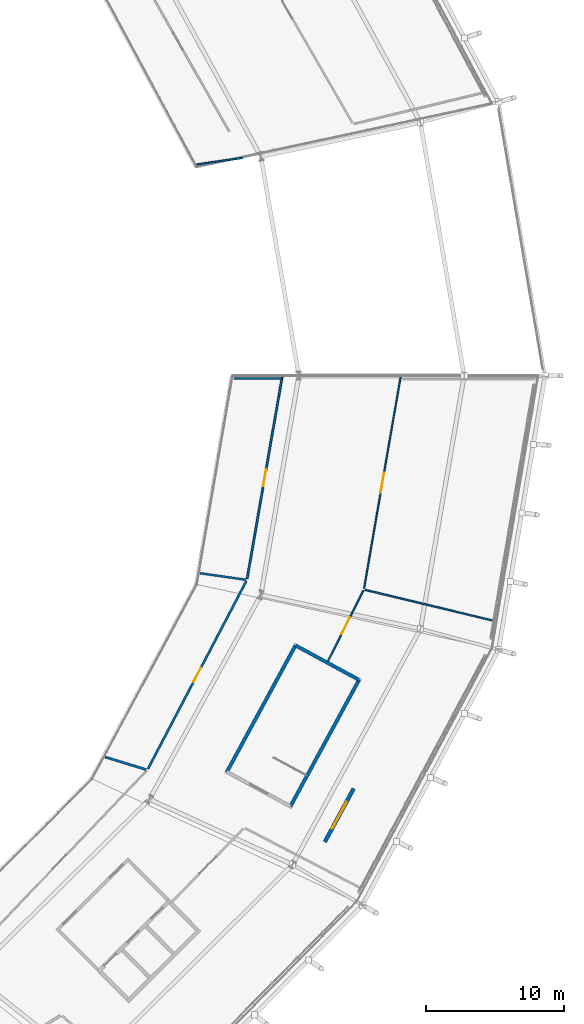
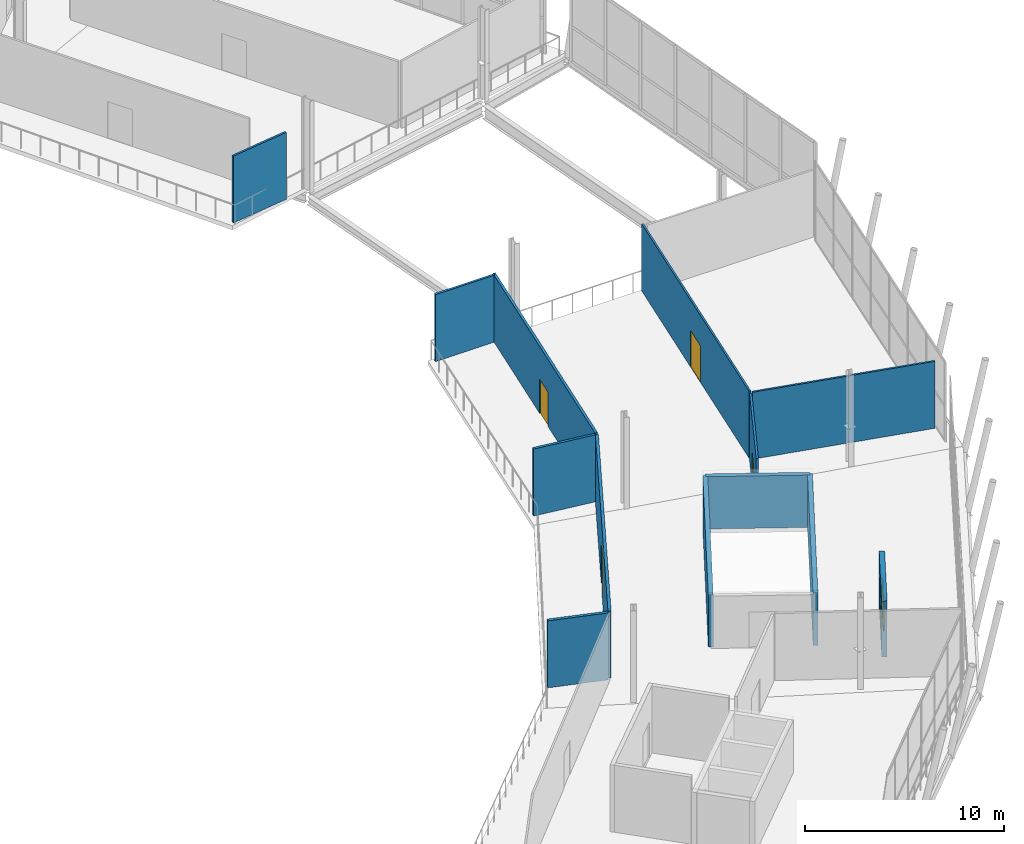
# One storey, part 88 of 99: 13 walls, 4 doors, 1 window, 5 openings.
"""IFC4 building model written with IfcOpenShell, lengths in metres."""

from ifc_helpers import new_model, si_unit, direction, frame, frame_2d, origin, place, context, subcontext, project, spatial, rectangle, extrude, material, layer, layer_set, type_object, element, fill, save


model = new_model("IFC4")

# Units and contexts
model_context = context("Model", 3, precision=1e-05, world=origin(), true_north=direction((0.0, 1.0)))
body_context = subcontext(model_context, "Body", "Model", "MODEL_VIEW")
ifc_project = project(units=[si_unit("LENGTHUNIT", "METRE"), si_unit("AREAUNIT", "SQUARE_METRE"), si_unit("VOLUMEUNIT", "CUBIC_METRE"), si_unit("PLANEANGLEUNIT", "RADIAN"), si_unit("MASSUNIT", "GRAM", prefix="KILO")], contexts=[model_context])

# Site, building, storey
site_placement = place(None, origin())
site = spatial("IfcSite", under=ifc_project, at=site_placement, CompositionType="ELEMENT")
building_placement = place(site_placement, origin())
building = spatial("IfcBuilding", under=site, at=building_placement, Name="Zlatoyarsky Gate Stadium", CompositionType="ELEMENT")
storey_placement = place(building_placement, frame((0.0, 0.0, 26.199951171875)))
storey = spatial("IfcBuildingStorey", under=building, at=storey_placement, Name="L05", CompositionType="ELEMENT", Elevation=26.199951171875)

# Walls
ifc_material_1 = material(Name="Double-stud acoustic gypsum partition", Category="gypsum")
ifc_layer_1 = layer(ifc_material_1, 0.169921875)
ifc_layer_set_1 = layer_set([ifc_layer_1], Name="Double-stud acoustic gypsum partition")
wall_type_1 = type_object("IfcWallType", Name="ACOUSTIC BROADCAST STUDIO WALL 170", PredefinedType="PARTITIONING", material=ifc_layer_set_1)
wall_1_placement = place(storey_placement, frame((177.932373046875, 52.313720703125, 0.0), z_axis=(0.0, 0.0, 1.0), x_axis=(0.95598690757, -0.29340932595, 0.0)))
element("IfcWall", 1, at=wall_1_placement, inside=storey, type_object=wall_type_1, Name="L05 interior partition PRT-L05-IRD-22", PredefinedType="PARTITIONING", context=body_context, shape_type="SweptSolid", body=[
    extrude(rectangle(XDim=3.119384765625, YDim=0.169921875, at=frame_2d((1.5595703125, 0.0))), origin(), (0.0, 0.0, 1.0), 4.10009765625),
])
ifc_material_2 = material(Name="Anodised aluminium acoustic operable wall", Category="aluminium")
ifc_layer_2 = layer(ifc_material_2, 0.114990234375)
ifc_layer_set_2 = layer_set([ifc_layer_2], Name="Anodised aluminium acoustic operable wall")
wall_type_2 = type_object("IfcWallType", Name="ACOUSTIC OPERABLE SUITE WALL 115", PredefinedType="MOVABLE", material=ifc_layer_set_2)
wall_2_placement = place(storey_placement, frame((184.573486328125, 95.349609375, 0.0), z_axis=(0.0, 0.0, 1.0), x_axis=(0.990071167714, 0.140567004881, 0.0)))
element("IfcWall", 2, at=wall_2_placement, inside=storey, type_object=wall_type_2, Name="L05 interior partition PRT-L05-IRD-01G", PredefinedType="MOVABLE", context=body_context, shape_type="SweptSolid", body=[
    extrude(rectangle(XDim=3.36083984375, YDim=0.114990234375, at=frame_2d((1.680419921875, 0.0))), origin(), (0.0, 0.0, 1.0), 4.10009765625),
])

# Wall, opening, door
ifc_material_3 = material(Name="Moisture-resistant masonry partition", Category="masonry")
ifc_layer_3 = layer(ifc_material_3, 0.139892578125)
ifc_layer_set_3 = layer_set([ifc_layer_3], Name="Moisture-resistant masonry partition")
wall_type_3 = type_object("IfcWallType", Name="ATHLETE CHANGING BLOCK PARTITION 140", PredefinedType="PARTITIONING", material=ifc_layer_set_3)
wall_3_placement = place(storey_placement, frame((188.24072265625, 65.2626953125, 0.0), z_axis=(0.0, 0.0, 1.0), x_axis=(0.171095243165, 0.985254493908, 0.0)))
wall_3 = element("IfcWall", 3, at=wall_3_placement, inside=storey, type_object=wall_type_3, Name="L05 interior partition PRT-L05-ICC-23", PredefinedType="PARTITIONING", context=body_context, shape_type="SweptSolid", body=[
    extrude(rectangle(XDim=14.872802734375, YDim=0.139892578125, at=frame_2d((7.4365234375, 0.0))), origin(), (0.0, 0.0, 1.0), 4.10009765625),
])
opening_1_placement = place(wall_3_placement, frame((6.81640625, 0.0, 0.0)))
opening_1 = element("IfcOpeningElement", 4, at=opening_1_placement, cuts=wall_3, Name="Opening D-L05-663", PredefinedType="OPENING", context=body_context, shape_type="SweptSolid", body=[
    extrude(rectangle(XDim=1.239990234375, YDim=2.10009765625, at=frame_2d((0.6201171875, 1.050048828125))), frame((0.0, 0.079833984375, 0.0), z_axis=(0.0, -1.0, 0.0), x_axis=(1.0, 0.0, 0.0)), (0.0, 0.0, 1.0), 0.159912109375),
])
ifc_material_4 = material(Name="Powder-coated steel fire door", Category="steel")
door_type_1 = type_object("IfcDoorType", Name="ACOUSTIC INTERIOR DOOR 1240X2100", OperationType="NOTDEFINED", PredefinedType="DOOR", material=ifc_material_4)
door_1_placement = place(opening_1_placement, origin())
door_1 = element("IfcDoor", 5, at=door_1_placement, inside=storey, type_object=door_type_1, Name="L05 room door D-L05-663", OperationType="SINGLE_SWING_RIGHT", OverallHeight=2.10009765625, OverallWidth=1.239990234375, PredefinedType="DOOR", context=body_context, shape_type="SweptSolid", body=[
    extrude(rectangle(XDim=1.239990234375, YDim=2.10009765625, at=frame_2d((0.6201171875, 1.050048828125))), frame((0.0, 0.02490234375, 0.0), z_axis=(0.0, -1.0, 0.0), x_axis=(1.0, 0.0, 0.0)), (0.0, 0.0, 1.0), 0.050048828125),
])
fill(opening_1, door_1)

# Walls
ifc_material_5 = material(Name="Metal-stud gypsum partition", Category="gypsum")
ifc_layer_4 = layer(ifc_material_5, 0.14990234375)
ifc_layer_set_4 = layer_set([ifc_layer_4], Name="Metal-stud gypsum partition")
wall_type_4 = type_object("IfcWallType", Name="CONCOURSE CORRIDOR PARTITION 150", PredefinedType="PARTITIONING", material=ifc_layer_set_4)
wall_4_placement = place(storey_placement, frame((184.811767578125, 65.664306640625, 0.0), z_axis=(0.0, 0.0, 1.0), x_axis=(0.990047959754, -0.140730371231, 0.0)))
element("IfcWall", 6, at=wall_4_placement, inside=storey, type_object=wall_type_4, Name="L05 interior partition PRT-L05-IRD-23", PredefinedType="PARTITIONING", context=body_context, shape_type="SweptSolid", body=[
    extrude(rectangle(XDim=3.36376953125, YDim=0.14990234375, at=frame_2d((1.681884765625, 0.0))), origin(), (0.0, 0.0, 1.0), 4.10009765625),
])
ifc_material_6 = material(Name="Concrete C40/50", Category="concrete")
ifc_layer_5 = layer(ifc_material_6, 0.25)
ifc_layer_set_5 = layer_set([ifc_layer_5], Name="Concrete C40/50")
wall_type_5 = type_object("IfcWallType", Name="CONCRETE STAIR CORE SHEAR WALL 250", PredefinedType="SHEAR", material=ifc_layer_set_5)
wall_5_placement = place(storey_placement, frame((191.384765625, 48.731201171875, 0.0), z_axis=(0.0, 0.0, 1.0), x_axis=(0.476876856974, 0.878970115125, 0.0)))
element("IfcWall", 7, at=wall_5_placement, inside=storey, type_object=wall_type_5, Name="ST-12 L05 stair core left shear wall", PredefinedType="SHEAR", context=body_context, shape_type="SweptSolid", body=[
    extrude(rectangle(XDim=10.4501953125, YDim=0.25, at=frame_2d((5.22509765625, 0.0))), origin(), (0.0, 0.0, 1.0), 3.199951171875),
])
wall_6_placement = place(storey_placement, frame((196.3681640625, 57.91650390625, 0.0), z_axis=(0.0, 0.0, 1.0), x_axis=(-0.878961487093, 0.47689275965, 0.0)))
element("IfcWall", 8, at=wall_6_placement, inside=storey, type_object=wall_type_5, Name="ST-12 L05 stair core far shear wall", PredefinedType="SHEAR", context=body_context, shape_type="SweptSolid", body=[
    extrude(rectangle(XDim=5.25, YDim=0.25, at=frame_2d((2.625, 0.0))), origin(), (0.0, 0.0, 1.0), 3.199951171875),
])
wall_7_placement = place(storey_placement, frame((191.753662109375, 60.420166015625, 0.0), z_axis=(0.0, 0.0, 1.0), x_axis=(-0.476886649814, -0.878964802042, 0.0)))
element("IfcWall", 9, at=wall_7_placement, inside=storey, type_object=wall_type_5, Name="ST-12 L05 stair core right shear wall", PredefinedType="SHEAR", context=body_context, shape_type="SweptSolid", body=[
    extrude(rectangle(XDim=10.449951171875, YDim=0.25, at=frame_2d((5.22509765625, 0.0))), origin(), (0.0, 0.0, 1.0), 3.199951171875),
])

# Wall, opening, door
ifc_material_7 = material(Name="Acoustic metal-stud gypsum partition", Category="gypsum")
ifc_layer_6 = layer(ifc_material_7, 0.159912109375)
ifc_layer_set_6 = layer_set([ifc_layer_6], Name="Acoustic metal-stud gypsum partition")
wall_type_6 = type_object("IfcWallType", Name="HOSPITALITY SUITE PARTITION 160", PredefinedType="PARTITIONING", material=ifc_layer_set_6)
wall_8_placement = place(storey_placement, frame((181.03515625, 51.44873046875, 0.0), z_axis=(0.0, 0.0, 1.0), x_axis=(0.463973851802, 0.88584889504, 0.0)))
wall_8 = element("IfcWall", 10, at=wall_8_placement, inside=storey, type_object=wall_type_6, Name="L05 interior partition PRT-L05-ICC-22", PredefinedType="PARTITIONING", context=body_context, shape_type="SweptSolid", body=[
    extrude(rectangle(XDim=15.414306640625, YDim=0.159912109375, at=frame_2d((7.70703125, 0.0))), origin(), (0.0, 0.0, 1.0), 4.10009765625),
])
opening_2_placement = place(wall_8_placement, frame((7.127197265625, 0.0, 0.0)))
opening_2 = element("IfcOpeningElement", 11, at=opening_2_placement, cuts=wall_8, Name="Opening D-L05-661", PredefinedType="OPENING", context=body_context, shape_type="SweptSolid", body=[
    extrude(rectangle(XDim=1.159912109375, YDim=2.3798828125, at=frame_2d((0.580078125, 1.18994140625))), frame((0.0, 0.08984375, 0.0), z_axis=(0.0, -1.0, 0.0), x_axis=(1.0, 0.0, 0.0)), (0.0, 0.0, 1.0), 0.179931640625),
])
door_type_2 = type_object("IfcDoorType", Name="ACOUSTIC INTERIOR DOOR 1160X2380", OperationType="NOTDEFINED", PredefinedType="DOOR", material=ifc_material_4)
door_2_placement = place(opening_2_placement, origin())
door_2 = element("IfcDoor", 12, at=door_2_placement, inside=storey, type_object=door_type_2, Name="L05 room door D-L05-661", OperationType="SINGLE_SWING_LEFT", OverallHeight=2.3798828125, OverallWidth=1.159912109375, PredefinedType="DOOR", context=body_context, shape_type="SweptSolid", body=[
    extrude(rectangle(XDim=1.159912109375, YDim=2.3798828125, at=frame_2d((0.580078125, 1.18994140625))), frame((0.0, 0.02490234375, 0.0), z_axis=(0.0, -1.0, 0.0), x_axis=(1.0, 0.0, 0.0)), (0.0, 0.0, 1.0), 0.050048828125),
])
fill(opening_2, door_2)

# Wall, opening, window
ifc_material_8 = material(Name="Precast concrete C40/50 architectural panel", Category="concrete")
ifc_layer_7 = layer(ifc_material_8, 0.280029296875)
ifc_layer_set_7 = layer_set([ifc_layer_7], Name="Precast concrete C40/50 architectural panel")
wall_type_7 = type_object("IfcWallType", Name="INSULATED WING SPANDREL WALL 280", PredefinedType="STANDARD", material=ifc_layer_set_7)
wall_9_placement = place(storey_placement, frame((193.883056640625, 46.1484375, 0.0), z_axis=(0.0, 0.0, 1.0), x_axis=(0.475353389394, 0.879794950651, 0.0)))
wall_9 = element("IfcWall", 13, at=wall_9_placement, inside=storey, type_object=wall_type_7, Name="L05 clerestory lantern wall 08", PredefinedType="STANDARD", context=body_context, shape_type="SweptSolid", body=[
    extrude(rectangle(XDim=4.39990234375, YDim=0.280029296875, at=frame_2d((2.199951171875, 0.0))), origin(), (0.0, 0.0, 1.0), 3.400146484375),
])
opening_3_placement = place(wall_9_placement, frame((1.10009765625, 0.0, 0.800048828125)))
opening_3 = element("IfcOpeningElement", 14, at=opening_3_placement, cuts=wall_9, Name="Opening SK-04", PredefinedType="OPENING", context=body_context, shape_type="SweptSolid", body=[
    extrude(rectangle(XDim=2.199951171875, YDim=1.75, at=frame_2d((1.10009765625, 0.875))), frame((0.0, 0.14990234375, 0.0), z_axis=(0.0, -1.0, 0.0), x_axis=(1.0, 0.0, 0.0)), (0.0, 0.0, 1.0), 0.300048828125),
])
ifc_material_9 = material(Name="Triple-glazed thermally broken aluminium skylight", Category="aluminium")
window_type = type_object("IfcWindowType", Name="INSULATED ROOF SMOKE VENT SKYLIGHT 2200X1750", PartitioningType="SINGLE_PANEL", PredefinedType="SKYLIGHT", material=ifc_material_9)
window_placement = place(opening_3_placement, origin())
window = element("IfcWindow", 15, at=window_placement, inside=storey, type_object=window_type, Name="Clerestory smoke vent skylight SKY-08", OverallHeight=1.75, OverallWidth=2.199951171875, PartitioningType="SINGLE_PANEL", PredefinedType="SKYLIGHT", context=body_context, shape_type="SweptSolid", body=[
    extrude(rectangle(XDim=2.199951171875, YDim=1.75, at=frame_2d((1.10009765625, 0.875))), frame((0.0, 0.030029296875, 0.0), z_axis=(0.0, -1.0, 0.0), x_axis=(1.0, 0.0, 0.0)), (0.0, 0.0, 1.0), 0.06005859375),
])
fill(opening_3, window)

# Wall
ifc_layer_8 = layer(ifc_material_5, 0.110107421875)
ifc_layer_set_8 = layer_set([ifc_layer_8], Name="Metal-stud gypsum partition")
wall_type_8 = type_object("IfcWallType", Name="KIOSK SERVICE PARTITION 110", PredefinedType="PARTITIONING", material=ifc_layer_set_8)
wall_10_placement = place(storey_placement, frame((196.80224609375, 64.457275390625, 0.0), z_axis=(0.0, 0.0, 1.0), x_axis=(0.972258678705, -0.233908233466, 0.0)))
element("IfcWall", 16, at=wall_10_placement, inside=storey, type_object=wall_type_8, Name="L05 interior partition PRT-L05-ORD-22R", PredefinedType="PARTITIONING", context=body_context, shape_type="SweptSolid", body=[
    extrude(rectangle(XDim=9.538818359375, YDim=0.110107421875, at=frame_2d((4.76953125, 0.0))), origin(), (0.0, 0.0, 1.0), 4.10009765625),
])

# Wall, opening, door
ifc_layer_9 = layer(ifc_material_5, 0.10009765625)
ifc_layer_set_9 = layer_set([ifc_layer_9], Name="Metal-stud gypsum partition")
wall_type_9 = type_object("IfcWallType", Name="LIGHT STORAGE PARTITION 100", PredefinedType="PARTITIONING", material=ifc_layer_set_9)
wall_11_placement = place(storey_placement, frame((196.734130859375, 64.56103515625, 0.0), z_axis=(0.0, 0.0, 1.0), x_axis=(0.170150881869, 0.985418021653, 0.0)))
wall_11 = element("IfcWall", 17, at=wall_11_placement, inside=storey, type_object=wall_type_9, Name="L05 interior partition PRT-L05-OCC-23-1", PredefinedType="PARTITIONING", context=body_context, shape_type="SweptSolid", body=[
    extrude(rectangle(XDim=15.58251953125, YDim=0.10009765625, at=frame_2d((7.791259765625, 0.0))), origin(), (0.0, 0.0, 1.0), 4.10009765625),
])
opening_4_placement = place(wall_11_placement, frame((7.0712890625, 0.0, 0.0)))
opening_4 = element("IfcOpeningElement", 18, at=opening_4_placement, cuts=wall_11, Name="Opening D-L05-707", PredefinedType="OPENING", context=body_context, shape_type="SweptSolid", body=[
    extrude(rectangle(XDim=1.43994140625, YDim=2.239990234375, at=frame_2d((0.719970703125, 1.1201171875))), frame((0.0, 0.06005859375, 0.0), z_axis=(0.0, -1.0, 0.0), x_axis=(1.0, 0.0, 0.0)), (0.0, 0.0, 1.0), 0.1201171875),
])
ifc_material_10 = material(Name="Solid-core oak veneer acoustic door", Category="wood")
door_type_3 = type_object("IfcDoorType", Name="ACOUSTIC INTERIOR DOOR 1440X2240", OperationType="NOTDEFINED", PredefinedType="DOOR", material=ifc_material_10)
door_3_placement = place(opening_4_placement, origin())
door_3 = element("IfcDoor", 19, at=door_3_placement, inside=storey, type_object=door_type_3, Name="L05 room door D-L05-707", OperationType="SINGLE_SWING_RIGHT", OverallHeight=2.239990234375, OverallWidth=1.43994140625, PredefinedType="DOOR", context=body_context, shape_type="SweptSolid", body=[
    extrude(rectangle(XDim=1.43994140625, YDim=2.239990234375, at=frame_2d((0.719970703125, 1.1201171875))), frame((0.0, 0.02490234375, 0.0), z_axis=(0.0, -1.0, 0.0), x_axis=(1.0, 0.0, 0.0)), (0.0, 0.0, 1.0), 0.050048828125),
])
fill(opening_4, door_3)

ifc_layer_10 = layer(ifc_material_5, 0.1201171875)
ifc_layer_set_10 = layer_set([ifc_layer_10], Name="Metal-stud gypsum partition")
wall_type_10 = type_object("IfcWallType", Name="OFFICE AND PRESS PARTITION 120", PredefinedType="PARTITIONING", material=ifc_layer_set_10)
wall_12_placement = place(storey_placement, frame((194.11376953125, 59.28759765625, 0.0), z_axis=(0.0, 0.0, 1.0), x_axis=(0.448731906193, 0.893666423429, 0.0)))
wall_12 = element("IfcWall", 20, at=wall_12_placement, inside=storey, type_object=wall_type_10, Name="L05 interior partition PRT-L05-OCC-22-1", PredefinedType="PARTITIONING", context=body_context, shape_type="SweptSolid", body=[
    extrude(rectangle(XDim=5.721923828125, YDim=0.1201171875, at=frame_2d((2.86083984375, 0.0))), origin(), (0.0, 0.0, 1.0), 4.10009765625),
])
opening_5_placement = place(wall_12_placement, frame((2.19091796875, 0.0, 0.0)))
opening_5 = element("IfcOpeningElement", 21, at=opening_5_placement, cuts=wall_12, Name="Opening D-L05-705", PredefinedType="OPENING", context=body_context, shape_type="SweptSolid", body=[
    extrude(rectangle(XDim=1.340087890625, YDim=2.10009765625, at=frame_2d((0.669921875, 1.050048828125))), frame((0.0, 0.070068359375, 0.0), z_axis=(0.0, -1.0, 0.0), x_axis=(1.0, 0.0, 0.0)), (0.0, 0.0, 1.0), 0.14013671875),
])
door_type_4 = type_object("IfcDoorType", Name="ACOUSTIC INTERIOR DOOR 1340X2100", OperationType="NOTDEFINED", PredefinedType="DOOR", material=ifc_material_10)
door_4_placement = place(opening_5_placement, origin())
door_4 = element("IfcDoor", 22, at=door_4_placement, inside=storey, type_object=door_type_4, Name="L05 room door D-L05-705", OperationType="SINGLE_SWING_LEFT", OverallHeight=2.10009765625, OverallWidth=1.340087890625, PredefinedType="DOOR", context=body_context, shape_type="SweptSolid", body=[
    extrude(rectangle(XDim=1.340087890625, YDim=2.10009765625, at=frame_2d((0.669921875, 1.050048828125))), frame((0.0, 0.02490234375, 0.0), z_axis=(0.0, -1.0, 0.0), x_axis=(1.0, 0.0, 0.0)), (0.0, 0.0, 1.0), 0.050048828125),
])
fill(opening_5, door_4)

# Wall
ifc_material_11 = material(Name="Moisture-resistant tile-backed partition", Category="gypsum")
ifc_layer_11 = layer(ifc_material_11, 0.1298828125)
ifc_layer_set_11 = layer_set([ifc_layer_11], Name="Moisture-resistant tile-backed partition")
wall_type_11 = type_object("IfcWallType", Name="SANITARY WET ROOM PARTITION 130", PredefinedType="PARTITIONING", material=ifc_layer_set_11)
wall_13_placement = place(storey_placement, frame((187.298828125, 79.802978515625, 0.0), z_axis=(0.0, 0.0, 1.0), x_axis=(1.0, 0.0, 0.0)))
element("IfcWall", 23, at=wall_13_placement, inside=storey, type_object=wall_type_11, Name="L05 interior partition PRT-L05-IRD-00E", PredefinedType="PARTITIONING", context=body_context, shape_type="SweptSolid", body=[
    extrude(rectangle(XDim=3.450439453125, YDim=0.1298828125, at=frame_2d((1.72509765625, 0.0))), origin(), (0.0, 0.0, 1.0), 4.10009765625),
])

save(model, "model.ifc")
